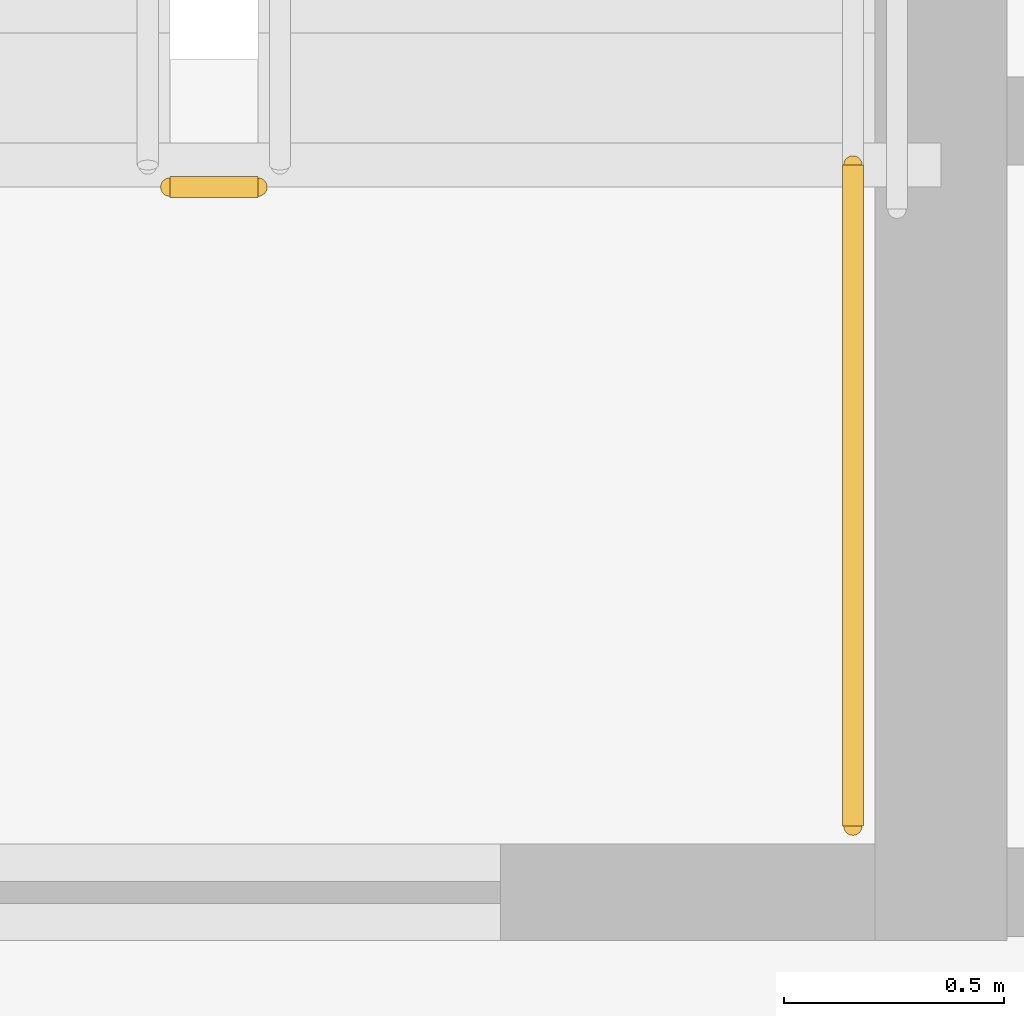
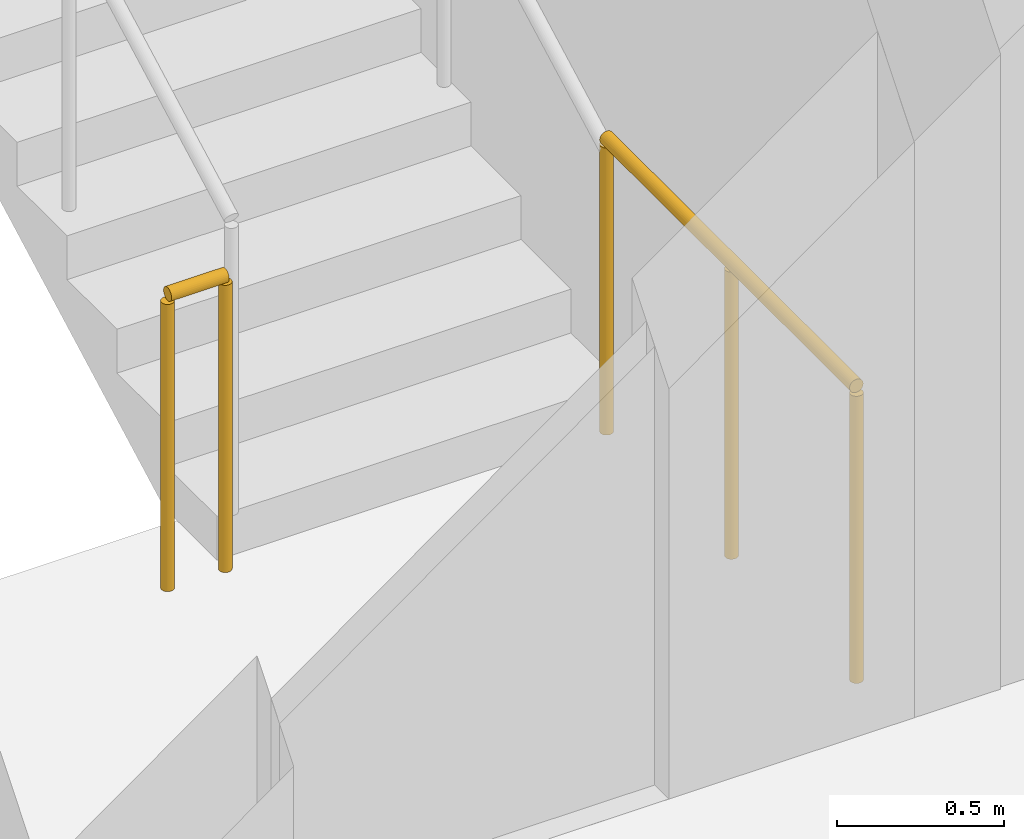
# One storey, part 88 of 92: 2 railings.
"""IFC4 building model written with IfcOpenShell, lengths in metres."""

import ifcopenshell
import ifcopenshell.guid

model = None  # the IFC model being written
_history = None  # IfcOwnerHistory: only IFC2X3 demands one
_inside = {}  # id of a spatial element -> (the spatial element, [elements in it])
_under = {}  # id of a project, library or spatial element -> (it, [spatial elements below it])
_declared = {}  # id of a project -> (the project, [libraries it declares])
_typed = {}  # id of a type object -> (the type object, [elements of that type])
_made_of = {}  # id of a material, layer set ... -> (it, [elements and type objects made of it])


def new_model(schema):
    """Start an empty IFC model of exactly this schema.

    Asked for "IFC4X3", IfcOpenShell would pick the latest addendum, in which some entities
    have other attributes; the version numbers below select the first issue.
    IFC2X3 requires an IfcOwnerHistory on every rooted entity: one is made here for all.
    """
    global model, _history
    if schema == "IFC4X3":
        model = ifcopenshell.file(schema_version=(4, 3, 0, 0))
    else:
        model = ifcopenshell.file(schema=schema)
    _inside.clear()
    _under.clear()
    _declared.clear()
    _typed.clear()
    _made_of.clear()
    _history = None
    if model.schema == "IFC2X3":
        org = make("IfcOrganization", Name="unknown")
        user = make(
            "IfcPersonAndOrganization",
            ThePerson=make("IfcPerson", FamilyName="unknown"),
            TheOrganization=org,
        )
        app = make(
            "IfcApplication",
            ApplicationDeveloper=org,
            Version="unknown",
            ApplicationFullName="unknown",
            ApplicationIdentifier="unknown",
        )
        _history = make(
            "IfcOwnerHistory",
            OwningUser=user,
            OwningApplication=app,
            ChangeAction="ADDED",
            CreationDate=0,
        )
    return model


def make(cls, **values):
    """One entity of the class cls with the attributes given. An attribute that is None is left unset."""
    return model.create_entity(
        cls, **{name: value for name, value in values.items() if value is not None}
    )


def rooted(cls, **values):
    """An entity with a GlobalId (a new one), such as an element, a storey or a relation."""
    return make(cls, GlobalId=ifcopenshell.guid.new(), OwnerHistory=_history, **values)


def si_unit(unit_type, name, prefix=None):
    """IfcSIUnit, for example si_unit("LENGTHUNIT", "METRE", prefix="MILLI")."""
    return make("IfcSIUnit", UnitType=unit_type, Prefix=prefix, Name=name)


def assignment(units):
    """IfcUnitAssignment: the units of a project."""
    return None if units is None else make("IfcUnitAssignment", Units=units)


def point(xyz):
    """IfcCartesianPoint."""
    return None if xyz is None else make("IfcCartesianPoint", Coordinates=xyz)


def direction(xyz):
    """IfcDirection."""
    return None if xyz is None else make("IfcDirection", DirectionRatios=xyz)


def frame(location, z_axis=None, x_axis=None):
    """IfcAxis2Placement3D, a coordinate frame: its origin and axes. An axis left out is left unset."""
    return make(
        "IfcAxis2Placement3D",
        Location=point(location),
        Axis=direction(z_axis),
        RefDirection=direction(x_axis),
    )


def frame_2d(location, x_axis=None):
    """IfcAxis2Placement2D, a coordinate frame in the plane: its origin and x axis."""
    return make(
        "IfcAxis2Placement2D", Location=point(location), RefDirection=direction(x_axis)
    )


def origin():
    """The frame at (0, 0, 0) with its axes left unset."""
    return frame((0.0, 0.0, 0.0))


def origin_2d():
    """The frame at (0, 0) in the plane with its x axis left unset."""
    return frame_2d((0.0, 0.0))


def place(relative_to, where):
    """IfcLocalPlacement: puts the frame where relative to a parent placement (None: the world)."""
    return make(
        "IfcLocalPlacement", PlacementRelTo=relative_to, RelativePlacement=where
    )


def context(
    kind, dimensions, precision=None, world=None, true_north=None, identifier=None
):
    """IfcGeometricRepresentationContext, for example the 3D "Model" context."""
    return make(
        "IfcGeometricRepresentationContext",
        ContextIdentifier=identifier,
        ContextType=kind,
        CoordinateSpaceDimension=dimensions,
        Precision=precision,
        WorldCoordinateSystem=world,
        TrueNorth=true_north,
    )


def subcontext(parent, identifier, kind, view, scale=None):
    """IfcGeometricRepresentationSubContext, for example "Body" below "Model"."""
    return make(
        "IfcGeometricRepresentationSubContext",
        ContextIdentifier=identifier,
        ContextType=kind,
        ParentContext=parent,
        TargetScale=scale,
        TargetView=view,
    )


def project(units=None, contexts=None):
    """IfcProject with its units and contexts."""
    return rooted(
        "IfcProject",
        Name="project",
        RepresentationContexts=contexts,
        UnitsInContext=assignment(units),
    )


def spatial(cls, under=None, at=None, **own):
    """A site, building, storey or space (cls), placed at a placement, below another one or the project."""
    s = rooted(cls, ObjectPlacement=at, **own)
    if under is not None:
        _under.setdefault(under.id(), (under, []))[1].append(s)
    return s


def profile(cls, at=None, kind="AREA", **sizes):
    """A parametric profile (cls). Its sizes go by their IFC names, for example OverallWidth=200.0."""
    return make(cls, ProfileType=kind, Position=at, **sizes)


def circle(**sizes):
    """IfcCircleProfileDef."""
    return profile("IfcCircleProfileDef", **sizes)


def extrude(swept, where, along, depth):
    """IfcExtrudedAreaSolid: the profile swept, set in the frame where, extruded along a direction by depth."""
    return make(
        "IfcExtrudedAreaSolid",
        SweptArea=swept,
        Position=where,
        ExtrudedDirection=direction(along),
        Depth=depth,
    )


def shape(context_of_items, identifier, shape_type, items):
    """IfcShapeRepresentation: the items that make up one representation, for example the "Body"."""
    return make(
        "IfcShapeRepresentation",
        ContextOfItems=context_of_items,
        RepresentationIdentifier=identifier,
        RepresentationType=shape_type,
        Items=items,
    )


def material(Name=None, Category=None):
    """IfcMaterial."""
    return make("IfcMaterial", Name=Name, Category=Category)


def made_of(thing, what):
    """Note that an element or type object is made of a material, layer set ...; save() writes the relation."""
    if what is not None:
        _made_of.setdefault(what.id(), (what, []))[1].append(thing)
    return thing


def type_object(cls, material=None, **own):
    """A type object (cls), such as IfcWallType, which elements share."""
    return made_of(rooted(cls, **own), material)


def element(
    cls,
    number,
    at=None,
    inside=None,
    cuts=None,
    type_object=None,
    material=None,
    context=None,
    identifier="Body",
    shape_type=None,
    held_by="IfcProductDefinitionShape",
    body=None,
    shapes=None,
    **own,
):
    """One element of the class cls, such as IfcWall. Its Tag is "e" and its number.

    at: its placement. inside: the storey or other place that contains it. cuts: it is an
    opening in that element (IfcRelVoidsElement). A single representation is given by context,
    identifier, shape_type and body (its items); several are given by shapes. held_by: the class
    of the entity that holds the representations. save() writes the other relations.
    """
    e = rooted(cls, Tag="e%d" % number, ObjectPlacement=at, **own)
    if body is not None:
        shapes = [shape(context, identifier, shape_type, body)]
    if shapes is not None:
        e.Representation = make(held_by, Representations=shapes)
    if inside is not None:
        _inside.setdefault(inside.id(), (inside, []))[1].append(e)
    if cuts is not None:
        rooted(
            "IfcRelVoidsElement", RelatingBuildingElement=cuts, RelatedOpeningElement=e
        )
    if type_object is not None:
        _typed.setdefault(type_object.id(), (type_object, []))[1].append(e)
    return made_of(e, material)


def aggregate(whole, parts):
    """IfcRelAggregates: a whole, such as a stair, and the parts it consists of."""
    return rooted("IfcRelAggregates", RelatingObject=whole, RelatedObjects=parts)


def save(model, path):
    """Write the relations noted so far, then the file.

    IfcRelAggregates (storeys below a building ...), IfcRelContainedInSpatialStructure (elements
    in a storey), IfcRelDefinesByType, IfcRelAssociatesMaterial and IfcRelDeclares: one each for
    every whole, place, type object, material and project.
    """
    for whole, parts in _under.values():
        aggregate(whole, parts)
    for where, things in _inside.values():
        rooted(
            "IfcRelContainedInSpatialStructure",
            RelatedElements=things,
            RelatingStructure=where,
        )
    for kind, things in _typed.values():
        rooted("IfcRelDefinesByType", RelatedObjects=things, RelatingType=kind)
    for what, things in _made_of.values():
        rooted("IfcRelAssociatesMaterial", RelatedObjects=things, RelatingMaterial=what)
    for by, libraries in _declared.values():
        rooted("IfcRelDeclares", RelatingContext=by, RelatedDefinitions=libraries)
    model.write(path)


model = new_model("IFC4")

# Units and contexts
model_context = context("Model", 3, precision=1e-05, world=origin(), true_north=direction((0.0, 1.0)))
body_context = subcontext(model_context, "Body", "Model", "MODEL_VIEW")
ifc_project = project(units=[si_unit("LENGTHUNIT", "METRE"), si_unit("AREAUNIT", "SQUARE_METRE"), si_unit("VOLUMEUNIT", "CUBIC_METRE"), si_unit("PLANEANGLEUNIT", "RADIAN"), si_unit("MASSUNIT", "GRAM", prefix="KILO")], contexts=[model_context])

# Site, building, storey
site_placement = place(None, origin())
site = spatial("IfcSite", under=ifc_project, at=site_placement, CompositionType="ELEMENT")
building_placement = place(site_placement, origin())
building = spatial("IfcBuilding", under=site, at=building_placement, Name="Zlatovets Crest Museum", CompositionType="ELEMENT")
storey_placement = place(building_placement, origin())
storey = spatial("IfcBuildingStorey", under=building, at=storey_placement, Name="L00", CompositionType="ELEMENT", Elevation=0.0)

# Railings
ifc_material = material(Name="Painted steel safety guardrail", Category="steel")
railing_type = type_object("IfcRailingType", Name="StairGuard_SG01", PredefinedType="GUARDRAIL", material=ifc_material)
railing_1_placement = place(storey_placement, frame((131.39990234375, 86.25, 0.0)))
element("IfcRailing", 1, at=railing_1_placement, inside=storey, type_object=railing_type, Name="L00 ST8 stair guard 6", PredefinedType="GUARDRAIL", context=body_context, shape_type="SweptSolid", body=[
    extrude(circle(Radius=0.02392578125, at=origin_2d()), frame((0.0, 0.0, 1.076171875), z_axis=(-1.0, 0.0, 0.0), x_axis=(0.0, -1.0, 0.0)), (0.0, 0.0, 1.0), 0.199951171875),
    extrude(circle(Radius=0.02099609375, at=origin_2d()), origin(), (0.0, 0.0, 1.0), 1.052001953125),
    extrude(circle(Radius=0.02099609375, at=origin_2d()), frame((-0.199951171875, 0.0, 0.0)), (0.0, 0.0, 1.0), 1.052001953125),
])
railing_2_placement = place(storey_placement, frame((132.75, 84.800048828125, 0.0)))
element("IfcRailing", 2, at=railing_2_placement, inside=storey, type_object=railing_type, Name="L00 ST8 stair guard 7", PredefinedType="GUARDRAIL", context=body_context, shape_type="SweptSolid", body=[
    extrude(circle(Radius=0.02392578125, at=origin_2d()), frame((0.0, 0.0, 1.076171875), z_axis=(0.0, 1.0, 0.0), x_axis=(-1.0, 0.0, 0.0)), (0.0, 0.0, 1.0), 1.5),
    extrude(circle(Radius=0.02099609375, at=origin_2d()), origin(), (0.0, 0.0, 1.0), 1.052001953125),
    extrude(circle(Radius=0.02099609375, at=origin_2d()), frame((0.0, 0.75, 0.0)), (0.0, 0.0, 1.0), 1.052001953125),
    extrude(circle(Radius=0.02099609375, at=origin_2d()), frame((0.0, 1.5, 0.0)), (0.0, 0.0, 1.0), 1.052001953125),
])

save(model, "model.ifc")
